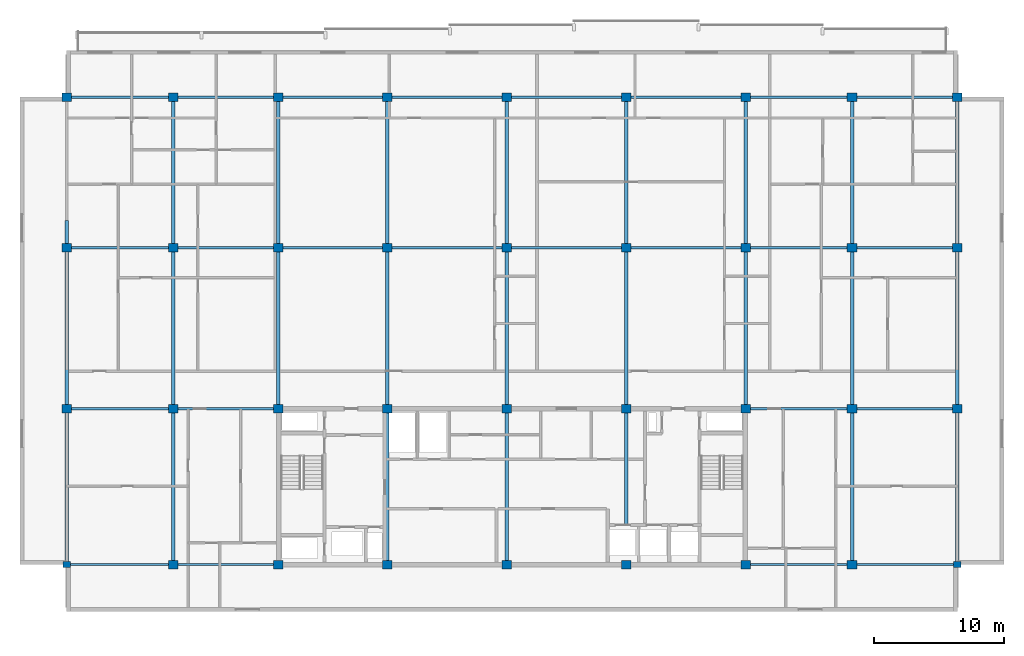
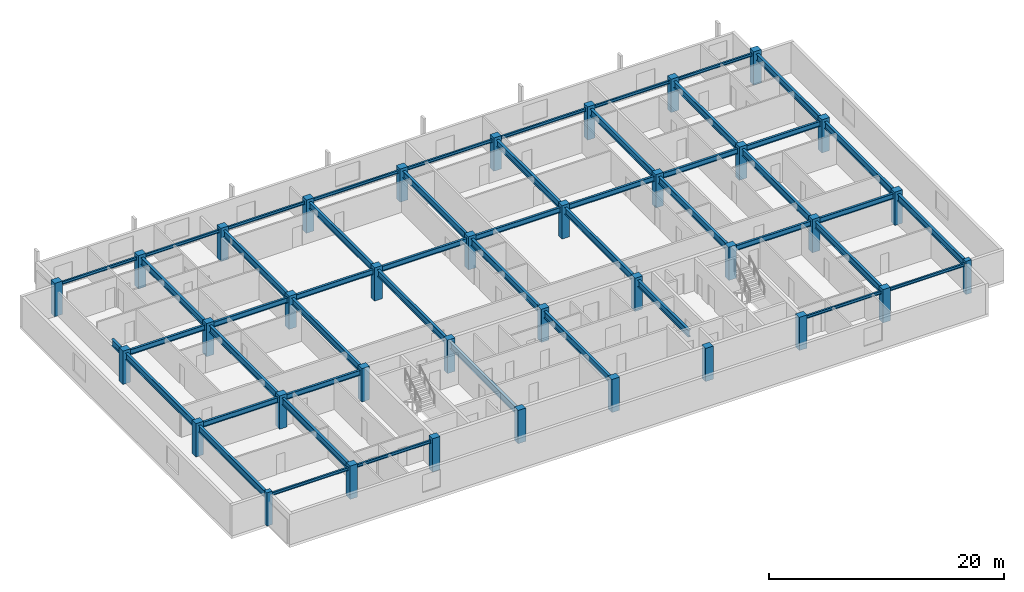
# One storey, part 1 of 10: 49 beams, 36 columns.
"""IFC4 building model written with IfcOpenShell, lengths in metres."""

from ifc_helpers import new_model, si_unit, direction, frame, origin, origin_2d, place, context, subcontext, project, spatial, rectangle, i_section, extrude, material, material_profile, profile_set, type_object, element, save


model = new_model("IFC4")

# Units and contexts
model_context = context("Model", 3, precision=1e-05, world=origin(), true_north=direction((0.0, 1.0)))
body_context = subcontext(model_context, "Body", "Model", "MODEL_VIEW")
ifc_project = project(units=[si_unit("LENGTHUNIT", "METRE"), si_unit("AREAUNIT", "SQUARE_METRE"), si_unit("VOLUMEUNIT", "CUBIC_METRE"), si_unit("PLANEANGLEUNIT", "RADIAN"), si_unit("MASSUNIT", "GRAM", prefix="KILO")], contexts=[model_context])

# Site, building, storey
site_placement = place(None, origin())
site = spatial("IfcSite", under=ifc_project, at=site_placement, CompositionType="ELEMENT")
building_placement = place(site_placement, origin())
building = spatial("IfcBuilding", under=site, at=building_placement, Name="Korimba Cascade Residences", CompositionType="ELEMENT")
storey_placement = place(building_placement, frame((0.0, 0.0, 245.89990234375)))
storey = spatial("IfcBuildingStorey", under=building, at=storey_placement, Name="L71", CompositionType="ELEMENT", Elevation=245.89990234375)

# Columns
ifc_material_1 = material(Name="Concrete C65/80", Category="concrete")
ifc_material_profile_1 = material_profile(ifc_material_1, rectangle(XDim=0.550048828125, YDim=0.449951171875, at=origin_2d()), Name="Concrete C65/80")
ifc_profile_set_1 = profile_set([ifc_material_profile_1], Name="Concrete C65/80")
column_type_1 = type_object("IfcColumnType", Name="COL-PIL-550", PredefinedType="PILASTER", material=ifc_profile_set_1)
for number, where, z_axis, x_axis, name in (
    (1, (59.800048828125, 55.199951171875, 0.0), (0.0, 0.0, 1.0), (1.0, 0.0, 0.0), "L71 Tower 1 Column 1.1"),
    (2, (128.39990234375, 55.199951171875, 0.0), (0.0, 0.0, 1.0), (1.0, 0.0, 0.0), "L71 Tower 1 Column 9.1"),
):
    element("IfcColumn", number, at=place(storey_placement, frame(where, z_axis=z_axis, x_axis=x_axis)), inside=storey, type_object=column_type_1, Name=name, PredefinedType="PILASTER", context=body_context, shape_type="SweptSolid", body=[
        extrude(rectangle(XDim=0.550048828125, YDim=0.449951171875, at=origin_2d()), origin(), (0.0, 0.0, 1.0), 3.4501953125),
    ])
ifc_material_2 = material(Name="Concrete C50/60", Category="concrete")
ifc_material_profile_2 = material_profile(ifc_material_2, rectangle(XDim=0.75, YDim=0.64990234375, at=origin_2d()), Name="Concrete C50/60")
ifc_profile_set_2 = profile_set([ifc_material_profile_2], Name="Concrete C50/60")
column_type_2 = type_object("IfcColumnType", Name="COL-RC-750", PredefinedType="COLUMN", material=ifc_profile_set_2)
for number, where, z_axis, x_axis, name in (
    (3, (59.800048828125, 67.199951171875, 0.0), (0.0, 0.0, 1.0), (1.0, 0.0, 0.0), "L71 Tower 1 Column 1.2"),
    (4, (59.800048828125, 79.60009765625, 0.0), (0.0, 0.0, 1.0), (1.0, 0.0, 0.0), "L71 Tower 1 Column 1.3"),
    (5, (59.800048828125, 91.199951171875, 0.0), (0.0, 0.0, 1.0), (1.0, 0.0, 0.0), "L71 Tower 1 Column 1.4"),
    (6, (68.0, 55.199951171875, 0.0), (0.0, 0.0, 1.0), (1.0, 0.0, 0.0), "L71 Tower 1 Column 2.1"),
    (7, (68.0, 67.199951171875, 0.0), (0.0, 0.0, 1.0), (1.0, 0.0, 0.0), "L71 Tower 1 Column 2.2"),
    (8, (68.0, 79.60009765625, 0.0), (0.0, 0.0, 1.0), (1.0, 0.0, 0.0), "L71 Tower 1 Column 2.3"),
    (9, (68.0, 91.199951171875, 0.0), (0.0, 0.0, 1.0), (1.0, 0.0, 0.0), "L71 Tower 1 Column 2.4"),
    (10, (76.10009765625, 55.199951171875, 0.0), (0.0, 0.0, 1.0), (1.0, 0.0, 0.0), "L71 Tower 1 Column 3.1"),
    (11, (76.10009765625, 67.199951171875, 0.0), (0.0, 0.0, 1.0), (1.0, 0.0, 0.0), "L71 Tower 1 Column 3.2"),
    (12, (76.10009765625, 79.60009765625, 0.0), (0.0, 0.0, 1.0), (1.0, 0.0, 0.0), "L71 Tower 1 Column 3.3"),
    (13, (76.10009765625, 91.199951171875, 0.0), (0.0, 0.0, 1.0), (1.0, 0.0, 0.0), "L71 Tower 1 Column 3.4"),
    (14, (84.5, 55.199951171875, 0.0), (0.0, 0.0, 1.0), (1.0, 0.0, 0.0), "L71 Tower 1 Column 4.1"),
    (15, (84.5, 67.199951171875, 0.0), (0.0, 0.0, 1.0), (1.0, 0.0, 0.0), "L71 Tower 1 Column 4.2"),
    (16, (84.5, 79.60009765625, 0.0), (0.0, 0.0, 1.0), (1.0, 0.0, 0.0), "L71 Tower 1 Column 4.3"),
    (17, (84.5, 91.199951171875, 0.0), (0.0, 0.0, 1.0), (1.0, 0.0, 0.0), "L71 Tower 1 Column 4.4"),
    (18, (93.699951171875, 55.199951171875, 0.0), (0.0, 0.0, 1.0), (1.0, 0.0, 0.0), "L71 Tower 1 Column 5.1"),
    (19, (93.699951171875, 67.199951171875, 0.0), (0.0, 0.0, 1.0), (1.0, 0.0, 0.0), "L71 Tower 1 Column 5.2"),
    (20, (93.699951171875, 79.60009765625, 0.0), (0.0, 0.0, 1.0), (1.0, 0.0, 0.0), "L71 Tower 1 Column 5.3"),
    (21, (93.699951171875, 91.199951171875, 0.0), (0.0, 0.0, 1.0), (1.0, 0.0, 0.0), "L71 Tower 1 Column 5.4"),
    (22, (102.89990234375, 55.199951171875, 0.0), (0.0, 0.0, 1.0), (1.0, 0.0, 0.0), "L71 Tower 1 Column 6.1"),
    (23, (102.89990234375, 67.199951171875, 0.0), (0.0, 0.0, 1.0), (1.0, 0.0, 0.0), "L71 Tower 1 Column 6.2"),
    (24, (102.89990234375, 79.60009765625, 0.0), (0.0, 0.0, 1.0), (1.0, 0.0, 0.0), "L71 Tower 1 Column 6.3"),
    (25, (102.89990234375, 91.199951171875, 0.0), (0.0, 0.0, 1.0), (1.0, 0.0, 0.0), "L71 Tower 1 Column 6.4"),
    (26, (112.10009765625, 55.199951171875, 0.0), (0.0, 0.0, 1.0), (1.0, 0.0, 0.0), "L71 Tower 1 Column 7.1"),
    (27, (112.10009765625, 67.199951171875, 0.0), (0.0, 0.0, 1.0), (1.0, 0.0, 0.0), "L71 Tower 1 Column 7.2"),
    (28, (112.10009765625, 79.60009765625, 0.0), (0.0, 0.0, 1.0), (1.0, 0.0, 0.0), "L71 Tower 1 Column 7.3"),
    (29, (112.10009765625, 91.199951171875, 0.0), (0.0, 0.0, 1.0), (1.0, 0.0, 0.0), "L71 Tower 1 Column 7.4"),
    (30, (120.300048828125, 55.199951171875, 0.0), (0.0, 0.0, 1.0), (1.0, 0.0, 0.0), "L71 Tower 1 Column 8.1"),
    (31, (120.300048828125, 67.199951171875, 0.0), (0.0, 0.0, 1.0), (1.0, 0.0, 0.0), "L71 Tower 1 Column 8.2"),
    (32, (120.300048828125, 79.60009765625, 0.0), (0.0, 0.0, 1.0), (1.0, 0.0, 0.0), "L71 Tower 1 Column 8.3"),
    (33, (120.300048828125, 91.199951171875, 0.0), (0.0, 0.0, 1.0), (1.0, 0.0, 0.0), "L71 Tower 1 Column 8.4"),
    (34, (128.39990234375, 67.199951171875, 0.0), (0.0, 0.0, 1.0), (1.0, 0.0, 0.0), "L71 Tower 1 Column 9.2"),
    (35, (128.39990234375, 79.60009765625, 0.0), (0.0, 0.0, 1.0), (1.0, 0.0, 0.0), "L71 Tower 1 Column 9.3"),
    (36, (128.39990234375, 91.199951171875, 0.0), (0.0, 0.0, 1.0), (1.0, 0.0, 0.0), "L71 Tower 1 Column 9.4"),
):
    element("IfcColumn", number, at=place(storey_placement, frame(where, z_axis=z_axis, x_axis=x_axis)), inside=storey, type_object=column_type_2, Name=name, PredefinedType="COLUMN", context=body_context, shape_type="SweptSolid", body=[
        extrude(rectangle(XDim=0.75, YDim=0.64990234375, at=origin_2d()), origin(), (0.0, 0.0, 1.0), 3.4501953125),
    ])

# Beams
ifc_material_3 = material(Name="Steel S355", Category="steel")
ifc_material_profile_3 = material_profile(ifc_material_3, i_section(OverallWidth=0.165771484375, OverallDepth=0.306640625, WebThickness=0.006591796875, FlangeThickness=0.01171875, FilletRadius=0.0087890625, at=origin_2d()), Name="Steel S355")
ifc_profile_set_3 = profile_set([ifc_material_profile_3], Name="Steel S355")
beam_type_1 = type_object("IfcBeamType", Name="BM-STL-UB305", PredefinedType="SPANDREL", material=ifc_profile_set_3)
beam_1_placement = place(storey_placement, frame((60.074951171875, 55.199951171875, 3.016845703125), z_axis=(1.0, 0.0, 0.0), x_axis=(0.0, 1.0, 0.0)))
element("IfcBeam", 37, at=beam_1_placement, inside=storey, type_object=beam_type_1, Name="L71 T1 E-W Girder Y1 Bay 1", PredefinedType="SPANDREL", context=body_context, shape_type="SweptSolid", body=[
    extrude(i_section(OverallWidth=0.165771484375, OverallDepth=0.306640625, WebThickness=0.006591796875, FlangeThickness=0.01171875, FilletRadius=0.0087890625, at=origin_2d()), origin(), (0.0, 0.0, 1.0), 7.550048828125),
])
beam_2_placement = place(storey_placement, frame((68.375, 55.199951171875, 3.016845703125), z_axis=(1.0, 0.0, 0.0), x_axis=(0.0, 1.0, 0.0)))
element("IfcBeam", 38, at=beam_2_placement, inside=storey, type_object=beam_type_1, Name="L71 T1 E-W Girder Y1 Bay 2", PredefinedType="SPANDREL", context=body_context, shape_type="SweptSolid", body=[
    extrude(i_section(OverallWidth=0.165771484375, OverallDepth=0.306640625, WebThickness=0.006591796875, FlangeThickness=0.01171875, FilletRadius=0.0087890625, at=origin_2d()), origin(), (0.0, 0.0, 1.0), 7.35009765625),
])
for number, where, z_axis, x_axis, name in (
    (39, (112.47509765625, 55.199951171875, 3.016845703125), (1.0, 0.0, 0.0), (0.0, 1.0, 0.0), "L71 T1 E-W Girder Y1 Bay 7"),
    (40, (120.675048828125, 55.199951171875, 3.016845703125), (1.0, 0.0, 0.0), (0.0, 1.0, 0.0), "L71 T1 E-W Girder Y1 Bay 8"),
    (41, (60.175048828125, 91.199951171875, 3.016845703125), (1.0, 0.0, 0.0), (0.0, 1.0, 0.0), "L71 T1 E-W Girder Y4 Bay 1"),
):
    element("IfcBeam", number, at=place(storey_placement, frame(where, z_axis=z_axis, x_axis=x_axis)), inside=storey, type_object=beam_type_1, Name=name, PredefinedType="SPANDREL", context=body_context, shape_type="SweptSolid", body=[
        extrude(i_section(OverallWidth=0.165771484375, OverallDepth=0.306640625, WebThickness=0.006591796875, FlangeThickness=0.01171875, FilletRadius=0.0087890625, at=origin_2d()), origin(), (0.0, 0.0, 1.0), 7.449951171875),
    ])
beam_3_placement = place(storey_placement, frame((68.375, 91.199951171875, 3.016845703125), z_axis=(1.0, 0.0, 0.0), x_axis=(0.0, 1.0, 0.0)))
element("IfcBeam", 42, at=beam_3_placement, inside=storey, type_object=beam_type_1, Name="L71 T1 E-W Girder Y4 Bay 2", PredefinedType="SPANDREL", context=body_context, shape_type="SweptSolid", body=[
    extrude(i_section(OverallWidth=0.165771484375, OverallDepth=0.306640625, WebThickness=0.006591796875, FlangeThickness=0.01171875, FilletRadius=0.0087890625, at=origin_2d()), origin(), (0.0, 0.0, 1.0), 7.35009765625),
])
beam_4_placement = place(storey_placement, frame((76.47509765625, 91.199951171875, 3.016845703125), z_axis=(1.0, 0.0, 0.0), x_axis=(0.0, 1.0, 0.0)))
element("IfcBeam", 43, at=beam_4_placement, inside=storey, type_object=beam_type_1, Name="L71 T1 E-W Girder Y4 Bay 3", PredefinedType="SPANDREL", context=body_context, shape_type="SweptSolid", body=[
    extrude(i_section(OverallWidth=0.165771484375, OverallDepth=0.306640625, WebThickness=0.006591796875, FlangeThickness=0.01171875, FilletRadius=0.0087890625, at=origin_2d()), origin(), (0.0, 0.0, 1.0), 7.64990234375),
])
for number, where, z_axis, x_axis, name in (
    (44, (84.875, 91.199951171875, 3.016845703125), (1.0, 0.0, 0.0), (0.0, 1.0, 0.0), "L71 T1 E-W Girder Y4 Bay 4"),
    (45, (94.074951171875, 91.199951171875, 3.016845703125), (1.0, 0.0, 0.0), (0.0, 1.0, 0.0), "L71 T1 E-W Girder Y4 Bay 5"),
):
    element("IfcBeam", number, at=place(storey_placement, frame(where, z_axis=z_axis, x_axis=x_axis)), inside=storey, type_object=beam_type_1, Name=name, PredefinedType="SPANDREL", context=body_context, shape_type="SweptSolid", body=[
        extrude(i_section(OverallWidth=0.165771484375, OverallDepth=0.306640625, WebThickness=0.006591796875, FlangeThickness=0.01171875, FilletRadius=0.0087890625, at=origin_2d()), origin(), (0.0, 0.0, 1.0), 8.449951171875),
    ])
beam_5_placement = place(storey_placement, frame((103.27490234375, 91.199951171875, 3.016845703125), z_axis=(1.0, 0.0, 0.0), x_axis=(0.0, 1.0, 0.0)))
element("IfcBeam", 46, at=beam_5_placement, inside=storey, type_object=beam_type_1, Name="L71 T1 E-W Girder Y4 Bay 6", PredefinedType="SPANDREL", context=body_context, shape_type="SweptSolid", body=[
    extrude(i_section(OverallWidth=0.165771484375, OverallDepth=0.306640625, WebThickness=0.006591796875, FlangeThickness=0.01171875, FilletRadius=0.0087890625, at=origin_2d()), origin(), (0.0, 0.0, 1.0), 8.4501953125),
])
beam_6_placement = place(storey_placement, frame((112.47509765625, 91.199951171875, 3.016845703125), z_axis=(1.0, 0.0, 0.0), x_axis=(0.0, 1.0, 0.0)))
element("IfcBeam", 47, at=beam_6_placement, inside=storey, type_object=beam_type_1, Name="L71 T1 E-W Girder Y4 Bay 7", PredefinedType="SPANDREL", context=body_context, shape_type="SweptSolid", body=[
    extrude(i_section(OverallWidth=0.165771484375, OverallDepth=0.306640625, WebThickness=0.006591796875, FlangeThickness=0.01171875, FilletRadius=0.0087890625, at=origin_2d()), origin(), (0.0, 0.0, 1.0), 7.449951171875),
])
beam_7_placement = place(storey_placement, frame((120.675048828125, 91.199951171875, 3.016845703125), z_axis=(1.0, 0.0, 0.0), x_axis=(0.0, 1.0, 0.0)))
element("IfcBeam", 48, at=beam_7_placement, inside=storey, type_object=beam_type_1, Name="L71 T1 E-W Girder Y4 Bay 8", PredefinedType="SPANDREL", context=body_context, shape_type="SweptSolid", body=[
    extrude(i_section(OverallWidth=0.165771484375, OverallDepth=0.306640625, WebThickness=0.006591796875, FlangeThickness=0.01171875, FilletRadius=0.0087890625, at=origin_2d()), origin(), (0.0, 0.0, 1.0), 7.349853515625),
])
ifc_material_profile_4 = material_profile(ifc_material_3, i_section(OverallWidth=0.2099609375, OverallDepth=0.53662109375, WebThickness=0.0107421875, FlangeThickness=0.017333984375, FilletRadius=0.0126953125, at=origin_2d()), Name="Steel S355")
ifc_profile_set_4 = profile_set([ifc_material_profile_4], Name="Steel S355")
beam_type_2 = type_object("IfcBeamType", Name="BM-STL-UB533", PredefinedType="BEAM", material=ifc_profile_set_4)
beam_8_placement = place(storey_placement, frame((60.175048828125, 67.199951171875, 2.901611328125), z_axis=(1.0, 0.0, 0.0), x_axis=(0.0, 1.0, 0.0)))
element("IfcBeam", 49, at=beam_8_placement, inside=storey, type_object=beam_type_2, Name="L71 T1 E-W Girder Y2 Bay 1", PredefinedType="BEAM", context=body_context, shape_type="SweptSolid", body=[
    extrude(i_section(OverallWidth=0.2099609375, OverallDepth=0.53662109375, WebThickness=0.0107421875, FlangeThickness=0.017333984375, FilletRadius=0.0126953125, at=origin_2d()), origin(), (0.0, 0.0, 1.0), 7.449951171875),
])
beam_9_placement = place(storey_placement, frame((68.375, 67.199951171875, 2.901611328125), z_axis=(1.0, 0.0, 0.0), x_axis=(0.0, 1.0, 0.0)))
element("IfcBeam", 50, at=beam_9_placement, inside=storey, type_object=beam_type_2, Name="L71 T1 E-W Girder Y2 Bay 2", PredefinedType="BEAM", context=body_context, shape_type="SweptSolid", body=[
    extrude(i_section(OverallWidth=0.2099609375, OverallDepth=0.53662109375, WebThickness=0.0107421875, FlangeThickness=0.017333984375, FilletRadius=0.0126953125, at=origin_2d()), origin(), (0.0, 0.0, 1.0), 7.35009765625),
])
beam_10_placement = place(storey_placement, frame((112.47509765625, 67.199951171875, 2.901611328125), z_axis=(1.0, 0.0, 0.0), x_axis=(0.0, 1.0, 0.0)))
element("IfcBeam", 51, at=beam_10_placement, inside=storey, type_object=beam_type_2, Name="L71 T1 E-W Girder Y2 Bay 7", PredefinedType="BEAM", context=body_context, shape_type="SweptSolid", body=[
    extrude(i_section(OverallWidth=0.2099609375, OverallDepth=0.53662109375, WebThickness=0.0107421875, FlangeThickness=0.017333984375, FilletRadius=0.0126953125, at=origin_2d()), origin(), (0.0, 0.0, 1.0), 7.449951171875),
])
beam_11_placement = place(storey_placement, frame((120.675048828125, 67.199951171875, 2.901611328125), z_axis=(1.0, 0.0, 0.0), x_axis=(0.0, 1.0, 0.0)))
element("IfcBeam", 52, at=beam_11_placement, inside=storey, type_object=beam_type_2, Name="L71 T1 E-W Girder Y2 Bay 8", PredefinedType="BEAM", context=body_context, shape_type="SweptSolid", body=[
    extrude(i_section(OverallWidth=0.2099609375, OverallDepth=0.53662109375, WebThickness=0.0107421875, FlangeThickness=0.017333984375, FilletRadius=0.0126953125, at=origin_2d()), origin(), (0.0, 0.0, 1.0), 7.349853515625),
])
beam_12_placement = place(storey_placement, frame((60.175048828125, 79.60009765625, 2.901611328125), z_axis=(1.0, 0.0, 0.0), x_axis=(0.0, 1.0, 0.0)))
element("IfcBeam", 53, at=beam_12_placement, inside=storey, type_object=beam_type_2, Name="L71 T1 E-W Girder Y3 Bay 1", PredefinedType="BEAM", context=body_context, shape_type="SweptSolid", body=[
    extrude(i_section(OverallWidth=0.2099609375, OverallDepth=0.53662109375, WebThickness=0.0107421875, FlangeThickness=0.017333984375, FilletRadius=0.0126953125, at=origin_2d()), origin(), (0.0, 0.0, 1.0), 7.449951171875),
])
beam_13_placement = place(storey_placement, frame((68.375, 79.60009765625, 2.901611328125), z_axis=(1.0, 0.0, 0.0), x_axis=(0.0, 1.0, 0.0)))
element("IfcBeam", 54, at=beam_13_placement, inside=storey, type_object=beam_type_2, Name="L71 T1 E-W Girder Y3 Bay 2", PredefinedType="BEAM", context=body_context, shape_type="SweptSolid", body=[
    extrude(i_section(OverallWidth=0.2099609375, OverallDepth=0.53662109375, WebThickness=0.0107421875, FlangeThickness=0.017333984375, FilletRadius=0.0126953125, at=origin_2d()), origin(), (0.0, 0.0, 1.0), 7.35009765625),
])
beam_14_placement = place(storey_placement, frame((76.47509765625, 79.60009765625, 2.901611328125), z_axis=(1.0, 0.0, 0.0), x_axis=(0.0, 1.0, 0.0)))
element("IfcBeam", 55, at=beam_14_placement, inside=storey, type_object=beam_type_2, Name="L71 T1 E-W Girder Y3 Bay 3", PredefinedType="BEAM", context=body_context, shape_type="SweptSolid", body=[
    extrude(i_section(OverallWidth=0.2099609375, OverallDepth=0.53662109375, WebThickness=0.0107421875, FlangeThickness=0.017333984375, FilletRadius=0.0126953125, at=origin_2d()), origin(), (0.0, 0.0, 1.0), 7.64990234375),
])
for number, where, z_axis, x_axis, name in (
    (56, (84.875, 79.60009765625, 2.901611328125), (1.0, 0.0, 0.0), (0.0, 1.0, 0.0), "L71 T1 E-W Girder Y3 Bay 4"),
    (57, (94.074951171875, 79.60009765625, 2.901611328125), (1.0, 0.0, 0.0), (0.0, 1.0, 0.0), "L71 T1 E-W Girder Y3 Bay 5"),
):
    element("IfcBeam", number, at=place(storey_placement, frame(where, z_axis=z_axis, x_axis=x_axis)), inside=storey, type_object=beam_type_2, Name=name, PredefinedType="BEAM", context=body_context, shape_type="SweptSolid", body=[
        extrude(i_section(OverallWidth=0.2099609375, OverallDepth=0.53662109375, WebThickness=0.0107421875, FlangeThickness=0.017333984375, FilletRadius=0.0126953125, at=origin_2d()), origin(), (0.0, 0.0, 1.0), 8.449951171875),
    ])
beam_15_placement = place(storey_placement, frame((103.27490234375, 79.60009765625, 2.901611328125), z_axis=(1.0, 0.0, 0.0), x_axis=(0.0, 1.0, 0.0)))
element("IfcBeam", 58, at=beam_15_placement, inside=storey, type_object=beam_type_2, Name="L71 T1 E-W Girder Y3 Bay 6", PredefinedType="BEAM", context=body_context, shape_type="SweptSolid", body=[
    extrude(i_section(OverallWidth=0.2099609375, OverallDepth=0.53662109375, WebThickness=0.0107421875, FlangeThickness=0.017333984375, FilletRadius=0.0126953125, at=origin_2d()), origin(), (0.0, 0.0, 1.0), 8.4501953125),
])
beam_16_placement = place(storey_placement, frame((112.47509765625, 79.60009765625, 2.901611328125), z_axis=(1.0, 0.0, 0.0), x_axis=(0.0, 1.0, 0.0)))
element("IfcBeam", 59, at=beam_16_placement, inside=storey, type_object=beam_type_2, Name="L71 T1 E-W Girder Y3 Bay 7", PredefinedType="BEAM", context=body_context, shape_type="SweptSolid", body=[
    extrude(i_section(OverallWidth=0.2099609375, OverallDepth=0.53662109375, WebThickness=0.0107421875, FlangeThickness=0.017333984375, FilletRadius=0.0126953125, at=origin_2d()), origin(), (0.0, 0.0, 1.0), 7.449951171875),
])
beam_17_placement = place(storey_placement, frame((120.675048828125, 79.60009765625, 2.901611328125), z_axis=(1.0, 0.0, 0.0), x_axis=(0.0, 1.0, 0.0)))
element("IfcBeam", 60, at=beam_17_placement, inside=storey, type_object=beam_type_2, Name="L71 T1 E-W Girder Y3 Bay 8", PredefinedType="BEAM", context=body_context, shape_type="SweptSolid", body=[
    extrude(i_section(OverallWidth=0.2099609375, OverallDepth=0.53662109375, WebThickness=0.0107421875, FlangeThickness=0.017333984375, FilletRadius=0.0126953125, at=origin_2d()), origin(), (0.0, 0.0, 1.0), 7.349853515625),
])
ifc_material_profile_5 = material_profile(ifc_material_3, i_section(OverallWidth=0.255859375, OverallDepth=0.69287109375, WebThickness=0.014404296875, FlangeThickness=0.023681640625, FilletRadius=0.01513671875, at=origin_2d()), Name="Steel S355")
ifc_profile_set_5 = profile_set([ifc_material_profile_5], Name="Steel S355")
beam_type_3 = type_object("IfcBeamType", Name="BM-STL-UB686", PredefinedType="BEAM", material=ifc_profile_set_5)
beam_18_placement = place(storey_placement, frame((59.800048828125, 55.425048828125, 2.823486328125), z_axis=(0.0, 1.0, 0.0), x_axis=(-1.0, 0.0, 0.0)))
element("IfcBeam", 61, at=beam_18_placement, inside=storey, type_object=beam_type_3, Name="L71 T1 N-S Girder X1 Seg 1", PredefinedType="BEAM", context=body_context, shape_type="SweptSolid", body=[
    extrude(i_section(OverallWidth=0.255859375, OverallDepth=0.69287109375, WebThickness=0.014404296875, FlangeThickness=0.023681640625, FilletRadius=0.01513671875, at=origin_2d()), origin(), (0.0, 0.0, 1.0), 11.449951171875),
])
beam_19_placement = place(storey_placement, frame((59.800048828125, 67.52490234375, 2.823486328125), z_axis=(0.0, 1.0, 0.0), x_axis=(-1.0, 0.0, 0.0)))
element("IfcBeam", 62, at=beam_19_placement, inside=storey, type_object=beam_type_3, Name="L71 T1 N-S Girder X1 Seg 2", PredefinedType="BEAM", context=body_context, shape_type="SweptSolid", body=[
    extrude(i_section(OverallWidth=0.255859375, OverallDepth=0.69287109375, WebThickness=0.014404296875, FlangeThickness=0.023681640625, FilletRadius=0.01513671875, at=origin_2d()), origin(), (0.0, 0.0, 1.0), 11.75),
])
beam_20_placement = place(storey_placement, frame((59.800048828125, 79.925048828125, 2.823486328125), z_axis=(0.0, 1.0, 0.0), x_axis=(-1.0, 0.0, 0.0)))
element("IfcBeam", 63, at=beam_20_placement, inside=storey, type_object=beam_type_3, Name="L71 T1 N-S Girder X1 Seg 3", PredefinedType="BEAM", context=body_context, shape_type="SweptSolid", body=[
    extrude(i_section(OverallWidth=0.255859375, OverallDepth=0.69287109375, WebThickness=0.014404296875, FlangeThickness=0.023681640625, FilletRadius=0.01513671875, at=origin_2d()), origin(), (0.0, 0.0, 1.0), 1.77490234375),
])
beam_21_placement = place(storey_placement, frame((68.0, 55.52490234375, 2.823486328125), z_axis=(0.0, 1.0, 0.0), x_axis=(-1.0, 0.0, 0.0)))
element("IfcBeam", 64, at=beam_21_placement, inside=storey, type_object=beam_type_3, Name="L71 T1 N-S Girder X2 Seg 1", PredefinedType="BEAM", context=body_context, shape_type="SweptSolid", body=[
    extrude(i_section(OverallWidth=0.255859375, OverallDepth=0.69287109375, WebThickness=0.014404296875, FlangeThickness=0.023681640625, FilletRadius=0.01513671875, at=origin_2d()), origin(), (0.0, 0.0, 1.0), 11.35009765625),
])
beam_22_placement = place(storey_placement, frame((68.0, 67.52490234375, 2.823486328125), z_axis=(0.0, 1.0, 0.0), x_axis=(-1.0, 0.0, 0.0)))
element("IfcBeam", 65, at=beam_22_placement, inside=storey, type_object=beam_type_3, Name="L71 T1 N-S Girder X2 Seg 2", PredefinedType="BEAM", context=body_context, shape_type="SweptSolid", body=[
    extrude(i_section(OverallWidth=0.255859375, OverallDepth=0.69287109375, WebThickness=0.014404296875, FlangeThickness=0.023681640625, FilletRadius=0.01513671875, at=origin_2d()), origin(), (0.0, 0.0, 1.0), 11.75),
])
beam_23_placement = place(storey_placement, frame((68.0, 79.925048828125, 2.823486328125), z_axis=(0.0, 1.0, 0.0), x_axis=(-1.0, 0.0, 0.0)))
element("IfcBeam", 66, at=beam_23_placement, inside=storey, type_object=beam_type_3, Name="L71 T1 N-S Girder X2 Seg 3", PredefinedType="BEAM", context=body_context, shape_type="SweptSolid", body=[
    extrude(i_section(OverallWidth=0.255859375, OverallDepth=0.69287109375, WebThickness=0.014404296875, FlangeThickness=0.023681640625, FilletRadius=0.01513671875, at=origin_2d()), origin(), (0.0, 0.0, 1.0), 10.949951171875),
])
beam_24_placement = place(storey_placement, frame((76.10009765625, 67.52490234375, 2.823486328125), z_axis=(0.0, 1.0, 0.0), x_axis=(-1.0, 0.0, 0.0)))
element("IfcBeam", 67, at=beam_24_placement, inside=storey, type_object=beam_type_3, Name="L71 T1 N-S Girder X3 Seg 2", PredefinedType="BEAM", context=body_context, shape_type="SweptSolid", body=[
    extrude(i_section(OverallWidth=0.255859375, OverallDepth=0.69287109375, WebThickness=0.014404296875, FlangeThickness=0.023681640625, FilletRadius=0.01513671875, at=origin_2d()), origin(), (0.0, 0.0, 1.0), 11.75),
])
beam_25_placement = place(storey_placement, frame((76.10009765625, 79.925048828125, 2.823486328125), z_axis=(0.0, 1.0, 0.0), x_axis=(-1.0, 0.0, 0.0)))
element("IfcBeam", 68, at=beam_25_placement, inside=storey, type_object=beam_type_3, Name="L71 T1 N-S Girder X3 Seg 3", PredefinedType="BEAM", context=body_context, shape_type="SweptSolid", body=[
    extrude(i_section(OverallWidth=0.255859375, OverallDepth=0.69287109375, WebThickness=0.014404296875, FlangeThickness=0.023681640625, FilletRadius=0.01513671875, at=origin_2d()), origin(), (0.0, 0.0, 1.0), 10.949951171875),
])
beam_26_placement = place(storey_placement, frame((84.5, 55.52490234375, 2.823486328125), z_axis=(0.0, 1.0, 0.0), x_axis=(-1.0, 0.0, 0.0)))
element("IfcBeam", 69, at=beam_26_placement, inside=storey, type_object=beam_type_3, Name="L71 T1 N-S Girder X4 Seg 1", PredefinedType="BEAM", context=body_context, shape_type="SweptSolid", body=[
    extrude(i_section(OverallWidth=0.255859375, OverallDepth=0.69287109375, WebThickness=0.014404296875, FlangeThickness=0.023681640625, FilletRadius=0.01513671875, at=origin_2d()), origin(), (0.0, 0.0, 1.0), 11.35009765625),
])
beam_27_placement = place(storey_placement, frame((84.5, 67.52490234375, 2.823486328125), z_axis=(0.0, 1.0, 0.0), x_axis=(-1.0, 0.0, 0.0)))
element("IfcBeam", 70, at=beam_27_placement, inside=storey, type_object=beam_type_3, Name="L71 T1 N-S Girder X4 Seg 2", PredefinedType="BEAM", context=body_context, shape_type="SweptSolid", body=[
    extrude(i_section(OverallWidth=0.255859375, OverallDepth=0.69287109375, WebThickness=0.014404296875, FlangeThickness=0.023681640625, FilletRadius=0.01513671875, at=origin_2d()), origin(), (0.0, 0.0, 1.0), 11.75),
])
beam_28_placement = place(storey_placement, frame((84.5, 79.925048828125, 2.823486328125), z_axis=(0.0, 1.0, 0.0), x_axis=(-1.0, 0.0, 0.0)))
element("IfcBeam", 71, at=beam_28_placement, inside=storey, type_object=beam_type_3, Name="L71 T1 N-S Girder X4 Seg 3", PredefinedType="BEAM", context=body_context, shape_type="SweptSolid", body=[
    extrude(i_section(OverallWidth=0.255859375, OverallDepth=0.69287109375, WebThickness=0.014404296875, FlangeThickness=0.023681640625, FilletRadius=0.01513671875, at=origin_2d()), origin(), (0.0, 0.0, 1.0), 10.949951171875),
])
beam_29_placement = place(storey_placement, frame((93.699951171875, 55.52490234375, 2.823486328125), z_axis=(0.0, 1.0, 0.0), x_axis=(-1.0, 0.0, 0.0)))
element("IfcBeam", 72, at=beam_29_placement, inside=storey, type_object=beam_type_3, Name="L71 T1 N-S Girder X5 Seg 1", PredefinedType="BEAM", context=body_context, shape_type="SweptSolid", body=[
    extrude(i_section(OverallWidth=0.255859375, OverallDepth=0.69287109375, WebThickness=0.014404296875, FlangeThickness=0.023681640625, FilletRadius=0.01513671875, at=origin_2d()), origin(), (0.0, 0.0, 1.0), 11.35009765625),
])
beam_30_placement = place(storey_placement, frame((93.699951171875, 67.52490234375, 2.823486328125), z_axis=(0.0, 1.0, 0.0), x_axis=(-1.0, 0.0, 0.0)))
element("IfcBeam", 73, at=beam_30_placement, inside=storey, type_object=beam_type_3, Name="L71 T1 N-S Girder X5 Seg 2", PredefinedType="BEAM", context=body_context, shape_type="SweptSolid", body=[
    extrude(i_section(OverallWidth=0.255859375, OverallDepth=0.69287109375, WebThickness=0.014404296875, FlangeThickness=0.023681640625, FilletRadius=0.01513671875, at=origin_2d()), origin(), (0.0, 0.0, 1.0), 11.75),
])
beam_31_placement = place(storey_placement, frame((93.699951171875, 79.925048828125, 2.823486328125), z_axis=(0.0, 1.0, 0.0), x_axis=(-1.0, 0.0, 0.0)))
element("IfcBeam", 74, at=beam_31_placement, inside=storey, type_object=beam_type_3, Name="L71 T1 N-S Girder X5 Seg 3", PredefinedType="BEAM", context=body_context, shape_type="SweptSolid", body=[
    extrude(i_section(OverallWidth=0.255859375, OverallDepth=0.69287109375, WebThickness=0.014404296875, FlangeThickness=0.023681640625, FilletRadius=0.01513671875, at=origin_2d()), origin(), (0.0, 0.0, 1.0), 10.949951171875),
])
beam_32_placement = place(storey_placement, frame((102.89990234375, 58.260009765625, 2.823486328125), z_axis=(0.0, 1.0, 0.0), x_axis=(-1.0, 0.0, 0.0)))
element("IfcBeam", 75, at=beam_32_placement, inside=storey, type_object=beam_type_3, Name="L71 T1 N-S Girder X6 Seg 1", PredefinedType="BEAM", context=body_context, shape_type="SweptSolid", body=[
    extrude(i_section(OverallWidth=0.255859375, OverallDepth=0.69287109375, WebThickness=0.014404296875, FlangeThickness=0.023681640625, FilletRadius=0.01513671875, at=origin_2d()), origin(), (0.0, 0.0, 1.0), 8.614990234375),
])
beam_33_placement = place(storey_placement, frame((102.89990234375, 67.52490234375, 2.823486328125), z_axis=(0.0, 1.0, 0.0), x_axis=(-1.0, 0.0, 0.0)))
element("IfcBeam", 76, at=beam_33_placement, inside=storey, type_object=beam_type_3, Name="L71 T1 N-S Girder X6 Seg 2", PredefinedType="BEAM", context=body_context, shape_type="SweptSolid", body=[
    extrude(i_section(OverallWidth=0.255859375, OverallDepth=0.69287109375, WebThickness=0.014404296875, FlangeThickness=0.023681640625, FilletRadius=0.01513671875, at=origin_2d()), origin(), (0.0, 0.0, 1.0), 11.75),
])
beam_34_placement = place(storey_placement, frame((102.89990234375, 79.925048828125, 2.823486328125), z_axis=(0.0, 1.0, 0.0), x_axis=(-1.0, 0.0, 0.0)))
element("IfcBeam", 77, at=beam_34_placement, inside=storey, type_object=beam_type_3, Name="L71 T1 N-S Girder X6 Seg 3", PredefinedType="BEAM", context=body_context, shape_type="SweptSolid", body=[
    extrude(i_section(OverallWidth=0.255859375, OverallDepth=0.69287109375, WebThickness=0.014404296875, FlangeThickness=0.023681640625, FilletRadius=0.01513671875, at=origin_2d()), origin(), (0.0, 0.0, 1.0), 10.949951171875),
])
beam_35_placement = place(storey_placement, frame((112.10009765625, 67.52490234375, 2.823486328125), z_axis=(0.0, 1.0, 0.0), x_axis=(-1.0, 0.0, 0.0)))
element("IfcBeam", 78, at=beam_35_placement, inside=storey, type_object=beam_type_3, Name="L71 T1 N-S Girder X7 Seg 2", PredefinedType="BEAM", context=body_context, shape_type="SweptSolid", body=[
    extrude(i_section(OverallWidth=0.255859375, OverallDepth=0.69287109375, WebThickness=0.014404296875, FlangeThickness=0.023681640625, FilletRadius=0.01513671875, at=origin_2d()), origin(), (0.0, 0.0, 1.0), 11.75),
])
beam_36_placement = place(storey_placement, frame((112.10009765625, 79.925048828125, 2.823486328125), z_axis=(0.0, 1.0, 0.0), x_axis=(-1.0, 0.0, 0.0)))
element("IfcBeam", 79, at=beam_36_placement, inside=storey, type_object=beam_type_3, Name="L71 T1 N-S Girder X7 Seg 3", PredefinedType="BEAM", context=body_context, shape_type="SweptSolid", body=[
    extrude(i_section(OverallWidth=0.255859375, OverallDepth=0.69287109375, WebThickness=0.014404296875, FlangeThickness=0.023681640625, FilletRadius=0.01513671875, at=origin_2d()), origin(), (0.0, 0.0, 1.0), 10.949951171875),
])
beam_37_placement = place(storey_placement, frame((120.300048828125, 55.52490234375, 2.823486328125), z_axis=(0.0, 1.0, 0.0), x_axis=(-1.0, 0.0, 0.0)))
element("IfcBeam", 80, at=beam_37_placement, inside=storey, type_object=beam_type_3, Name="L71 T1 N-S Girder X8 Seg 1", PredefinedType="BEAM", context=body_context, shape_type="SweptSolid", body=[
    extrude(i_section(OverallWidth=0.255859375, OverallDepth=0.69287109375, WebThickness=0.014404296875, FlangeThickness=0.023681640625, FilletRadius=0.01513671875, at=origin_2d()), origin(), (0.0, 0.0, 1.0), 11.35009765625),
])
beam_38_placement = place(storey_placement, frame((120.300048828125, 67.52490234375, 2.823486328125), z_axis=(0.0, 1.0, 0.0), x_axis=(-1.0, 0.0, 0.0)))
element("IfcBeam", 81, at=beam_38_placement, inside=storey, type_object=beam_type_3, Name="L71 T1 N-S Girder X8 Seg 2", PredefinedType="BEAM", context=body_context, shape_type="SweptSolid", body=[
    extrude(i_section(OverallWidth=0.255859375, OverallDepth=0.69287109375, WebThickness=0.014404296875, FlangeThickness=0.023681640625, FilletRadius=0.01513671875, at=origin_2d()), origin(), (0.0, 0.0, 1.0), 11.75),
])
beam_39_placement = place(storey_placement, frame((120.300048828125, 79.925048828125, 2.823486328125), z_axis=(0.0, 1.0, 0.0), x_axis=(-1.0, 0.0, 0.0)))
element("IfcBeam", 82, at=beam_39_placement, inside=storey, type_object=beam_type_3, Name="L71 T1 N-S Girder X8 Seg 3", PredefinedType="BEAM", context=body_context, shape_type="SweptSolid", body=[
    extrude(i_section(OverallWidth=0.255859375, OverallDepth=0.69287109375, WebThickness=0.014404296875, FlangeThickness=0.023681640625, FilletRadius=0.01513671875, at=origin_2d()), origin(), (0.0, 0.0, 1.0), 10.949951171875),
])
beam_40_placement = place(storey_placement, frame((128.39990234375, 55.425048828125, 2.823486328125), z_axis=(0.0, 1.0, 0.0), x_axis=(-1.0, 0.0, 0.0)))
element("IfcBeam", 83, at=beam_40_placement, inside=storey, type_object=beam_type_3, Name="L71 T1 N-S Girder X9 Seg 1", PredefinedType="BEAM", context=body_context, shape_type="SweptSolid", body=[
    extrude(i_section(OverallWidth=0.255859375, OverallDepth=0.69287109375, WebThickness=0.014404296875, FlangeThickness=0.023681640625, FilletRadius=0.01513671875, at=origin_2d()), origin(), (0.0, 0.0, 1.0), 11.449951171875),
])
beam_41_placement = place(storey_placement, frame((128.39990234375, 67.52490234375, 2.823486328125), z_axis=(0.0, 1.0, 0.0), x_axis=(-1.0, 0.0, 0.0)))
element("IfcBeam", 84, at=beam_41_placement, inside=storey, type_object=beam_type_3, Name="L71 T1 N-S Girder X9 Seg 2", PredefinedType="BEAM", context=body_context, shape_type="SweptSolid", body=[
    extrude(i_section(OverallWidth=0.255859375, OverallDepth=0.69287109375, WebThickness=0.014404296875, FlangeThickness=0.023681640625, FilletRadius=0.01513671875, at=origin_2d()), origin(), (0.0, 0.0, 1.0), 11.75),
])
beam_42_placement = place(storey_placement, frame((128.39990234375, 79.925048828125, 2.823486328125), z_axis=(0.0, 1.0, 0.0), x_axis=(-1.0, 0.0, 0.0)))
element("IfcBeam", 85, at=beam_42_placement, inside=storey, type_object=beam_type_3, Name="L71 T1 N-S Girder X9 Seg 3", PredefinedType="BEAM", context=body_context, shape_type="SweptSolid", body=[
    extrude(i_section(OverallWidth=0.255859375, OverallDepth=0.69287109375, WebThickness=0.014404296875, FlangeThickness=0.023681640625, FilletRadius=0.01513671875, at=origin_2d()), origin(), (0.0, 0.0, 1.0), 10.949951171875),
])

save(model, "model.ifc")
